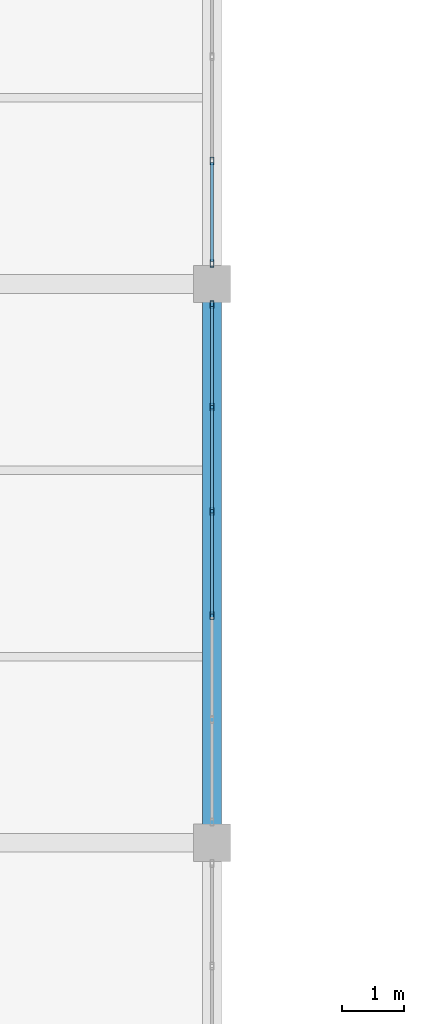
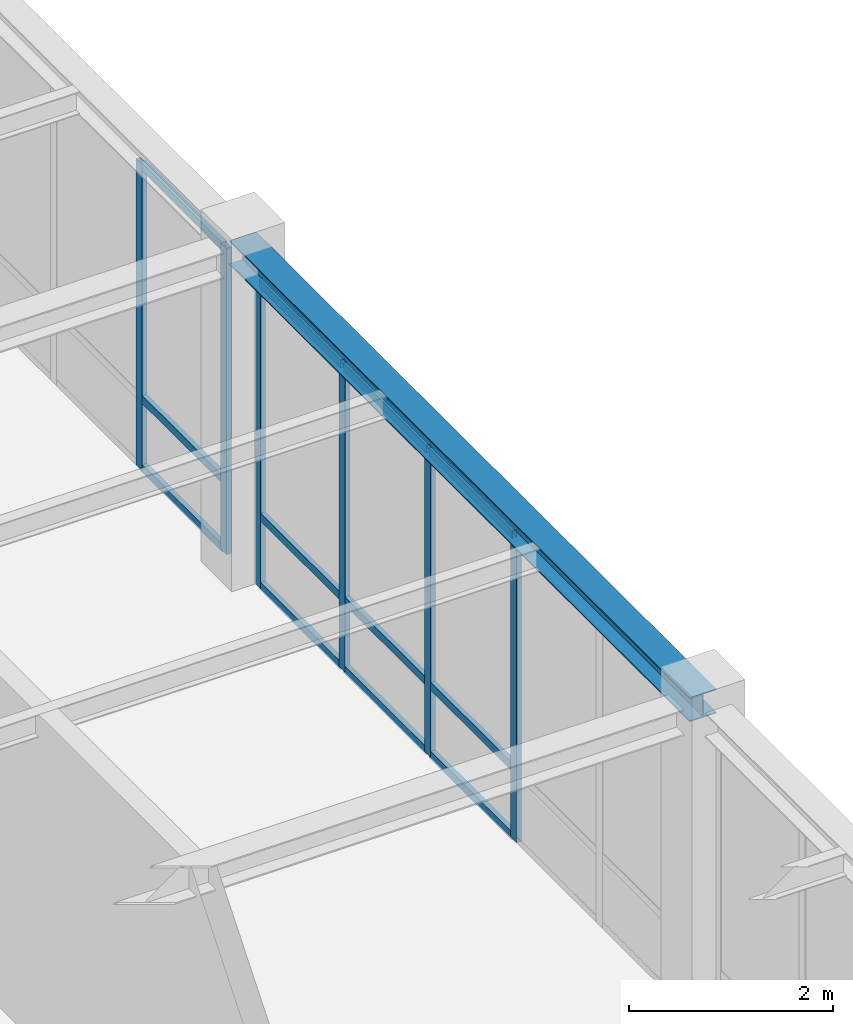
# One storey, part 58 of 130: 18 members, 1 beam, 2 elements without a shape of their own.
"""IFC4 building model written with IfcOpenShell, lengths in metres."""

from ifc_helpers import new_model, si_unit, direction, frame, origin, origin_2d, place, context, subcontext, project, spatial, hollow_rectangle, i_section, extrude, material, material_profile, profile_set, type_object, element, aggregate, save


model = new_model("IFC4")

# Units and contexts
model_context = context("Model", 3, precision=1e-05, world=origin(), true_north=direction((0.0, 1.0)))
body_context = subcontext(model_context, "Body", "Model", "MODEL_VIEW")
ifc_project = project(units=[si_unit("LENGTHUNIT", "METRE"), si_unit("AREAUNIT", "SQUARE_METRE"), si_unit("VOLUMEUNIT", "CUBIC_METRE"), si_unit("PLANEANGLEUNIT", "RADIAN"), si_unit("MASSUNIT", "GRAM", prefix="KILO")], contexts=[model_context])

# Site, building, storey
site_placement = place(None, origin())
site = spatial("IfcSite", under=ifc_project, at=site_placement, CompositionType="ELEMENT")
building_placement = place(site_placement, origin())
building = spatial("IfcBuilding", under=site, at=building_placement, Name="Lykobir Media Centre", CompositionType="ELEMENT")
storey_placement = place(building_placement, frame((0.0, 0.0, 19.199951171875)))
storey = spatial("IfcBuildingStorey", under=building, at=storey_placement, Name="L04", CompositionType="ELEMENT", Elevation=19.199951171875)

# Beam
ifc_material_1 = material(Name="Steel S355", Category="steel")
ifc_material_profile_1 = material_profile(ifc_material_1, i_section(OverallWidth=0.300048828125, OverallDepth=0.2900390625, WebThickness=0.008544921875, FlangeThickness=0.013916015625, at=origin_2d()), Name="HEA 300")
ifc_profile_set_1 = profile_set([ifc_material_profile_1], Name="Steel S355")
beam_type = type_object("IfcBeamType", Name="BM-HEA300", PredefinedType="BEAM", material=ifc_profile_set_1)
beam_placement = place(storey_placement, frame((99.0, 36.0, 3.81494140625), z_axis=(0.0, 1.0, 0.0), x_axis=(-1.0, 0.0, 0.0)))
element("IfcBeam", 1, at=beam_placement, inside=storey, type_object=beam_type, Name="Beam BM-L04-0990-0360-0990-0450-2302", PredefinedType="BEAM", context=body_context, shape_type="SweptSolid", body=[
    extrude(i_section(OverallWidth=0.300048828125, OverallDepth=0.2900390625, WebThickness=0.008544921875, FlangeThickness=0.013916015625, at=origin_2d()), origin(), (0.0, 0.0, 1.0), 9.0),
])

# Curtain wall, members
ifc_material_2 = material(Name="Anodized Aluminium AW-6060", Category="aluminium")
curtain_wall_type = type_object("IfcCurtainWallType", Name="CW-COURT-B", PredefinedType="NOTDEFINED", material=ifc_material_2)
curtain_wall_1_placement = place(storey_placement, origin())
curtain_wall_1 = element("IfcCurtainWall", 2, at=curtain_wall_1_placement, inside=storey, type_object=curtain_wall_type, Name="Curtain wall CW2-L04-0174", PredefinedType="NOTDEFINED")
ifc_material_profile_2 = material_profile(ifc_material_2, hollow_rectangle(XDim=0.054931640625, YDim=0.1201171875, WallThickness=0.003173828125, at=origin_2d()), Name="ALU MULLION 55x120")
ifc_profile_set_2 = profile_set([ifc_material_profile_2], Name="Anodized Aluminium AW-6060")
member_type_1 = type_object("IfcMemberType", Name="CWM-120", PredefinedType="MULLION", material=ifc_profile_set_2)
member_1_placement = place(storey_placement, frame((99.0, 44.66748046875, 0.0), z_axis=(0.0, 0.0, 1.0), x_axis=(1.0, 0.0, 0.0)))
member_1 = element("IfcMember", 3, at=member_1_placement, type_object=member_type_1, Name="CW2-L04-0174 mullion 1", PredefinedType="MULLION", context=body_context, shape_type="SweptSolid", body=[
    extrude(hollow_rectangle(XDim=0.054931640625, YDim=0.1201171875, WallThickness=0.003173828125, at=origin_2d()), origin(), (0.0, 0.0, 1.0), 3.655029296875),
])
member_2_placement = place(storey_placement, frame((99.0, 43.01708984375, 0.0), z_axis=(0.0, 0.0, 1.0), x_axis=(1.0, 0.0, 0.0)))
member_2 = element("IfcMember", 4, at=member_2_placement, type_object=member_type_1, Name="CW2-L04-0174 mullion 2", PredefinedType="MULLION", context=body_context, shape_type="SweptSolid", body=[
    extrude(hollow_rectangle(XDim=0.054931640625, YDim=0.1201171875, WallThickness=0.003173828125, at=origin_2d()), origin(), (0.0, 0.0, 1.0), 3.655029296875),
])
member_3_placement = place(storey_placement, frame((99.0, 41.339111328125, 0.0), z_axis=(0.0, 0.0, 1.0), x_axis=(1.0, 0.0, 0.0)))
member_3 = element("IfcMember", 5, at=member_3_placement, type_object=member_type_1, Name="CW2-L04-0174 mullion 3", PredefinedType="MULLION", context=body_context, shape_type="SweptSolid", body=[
    extrude(hollow_rectangle(XDim=0.054931640625, YDim=0.1201171875, WallThickness=0.003173828125, at=origin_2d()), origin(), (0.0, 0.0, 1.0), 3.655029296875),
])
member_4_placement = place(storey_placement, frame((99.0, 39.660888671875, 0.0), z_axis=(0.0, 0.0, 1.0), x_axis=(1.0, 0.0, 0.0)))
member_4 = element("IfcMember", 6, at=member_4_placement, type_object=member_type_1, Name="CW2-L04-0174 mullion 4", PredefinedType="MULLION", context=body_context, shape_type="SweptSolid", body=[
    extrude(hollow_rectangle(XDim=0.054931640625, YDim=0.1201171875, WallThickness=0.003173828125, at=origin_2d()), origin(), (0.0, 0.0, 1.0), 3.655029296875),
])

curtain_wall_2_placement = place(storey_placement, origin())
curtain_wall_2 = element("IfcCurtainWall", 7, at=curtain_wall_2_placement, inside=storey, type_object=curtain_wall_type, Name="Curtain wall CW2-L04-0175", PredefinedType="NOTDEFINED")
member_5_placement = place(storey_placement, frame((99.0, 46.98291015625, 0.0), z_axis=(0.0, 0.0, 1.0), x_axis=(1.0, 0.0, 0.0)))
member_5 = element("IfcMember", 8, at=member_5_placement, type_object=member_type_1, Name="CW2-L04-0175 mullion 5", PredefinedType="MULLION", context=body_context, shape_type="SweptSolid", body=[
    extrude(hollow_rectangle(XDim=0.054931640625, YDim=0.1201171875, WallThickness=0.003173828125, at=origin_2d()), origin(), (0.0, 0.0, 1.0), 3.655029296875),
])
member_6_placement = place(storey_placement, frame((99.0, 45.33251953125, 0.0), z_axis=(0.0, 0.0, 1.0), x_axis=(1.0, 0.0, 0.0)))
member_6 = element("IfcMember", 9, at=member_6_placement, type_object=member_type_1, Name="CW2-L04-0175 mullion 6", PredefinedType="MULLION", context=body_context, shape_type="SweptSolid", body=[
    extrude(hollow_rectangle(XDim=0.054931640625, YDim=0.1201171875, WallThickness=0.003173828125, at=origin_2d()), origin(), (0.0, 0.0, 1.0), 3.655029296875),
])

# Member
ifc_material_profile_3 = material_profile(ifc_material_2, hollow_rectangle(XDim=0.054931640625, YDim=0.094970703125, WallThickness=0.0029296875, at=origin_2d()), Name="ALU TRANSOM 55x95")
ifc_profile_set_3 = profile_set([ifc_material_profile_3], Name="Anodized Aluminium AW-6060")
member_type_2 = type_object("IfcMemberType", Name="CWT-095", PredefinedType="USERDEFINED", material=ifc_profile_set_3)
member_7_placement = place(storey_placement, frame((99.0, 44.639892578125, 0.027587890625), z_axis=(0.0, -1.0, 0.0), x_axis=(1.0, 0.0, 0.0)))
member_7 = element("IfcMember", 10, at=member_7_placement, type_object=member_type_2, Name="CW2-L04-0174 transom 1.1", ObjectType="TRANSOM", PredefinedType="USERDEFINED", context=body_context, shape_type="SweptSolid", body=[
    extrude(hollow_rectangle(XDim=0.054931640625, YDim=0.094970703125, WallThickness=0.0029296875, at=origin_2d()), origin(), (0.0, 0.0, 1.0), 1.595458984375),
])

member_8_placement = place(storey_placement, frame((99.0, 44.639892578125, 0.85009765625), z_axis=(0.0, -1.0, 0.0), x_axis=(1.0, 0.0, 0.0)))
member_8 = element("IfcMember", 11, at=member_8_placement, type_object=member_type_2, Name="CW2-L04-0174 transom 1.2", ObjectType="TRANSOM", PredefinedType="USERDEFINED", context=body_context, shape_type="SweptSolid", body=[
    extrude(hollow_rectangle(XDim=0.054931640625, YDim=0.094970703125, WallThickness=0.0029296875, at=origin_2d()), origin(), (0.0, 0.0, 1.0), 1.595458984375),
])

member_9_placement = place(storey_placement, frame((99.0, 44.639892578125, 3.62744140625), z_axis=(0.0, -1.0, 0.0), x_axis=(1.0, 0.0, 0.0)))
member_9 = element("IfcMember", 12, at=member_9_placement, type_object=member_type_2, Name="CW2-L04-0174 transom 1.3", ObjectType="TRANSOM", PredefinedType="USERDEFINED", context=body_context, shape_type="SweptSolid", body=[
    extrude(hollow_rectangle(XDim=0.054931640625, YDim=0.094970703125, WallThickness=0.0029296875, at=origin_2d()), origin(), (0.0, 0.0, 1.0), 1.595458984375),
])

member_10_placement = place(storey_placement, frame((99.0, 42.989501953125, 0.027587890625), z_axis=(0.0, -1.0, 0.0), x_axis=(1.0, 0.0, 0.0)))
member_10 = element("IfcMember", 13, at=member_10_placement, type_object=member_type_2, Name="CW2-L04-0174 transom 2.1", ObjectType="TRANSOM", PredefinedType="USERDEFINED", context=body_context, shape_type="SweptSolid", body=[
    extrude(hollow_rectangle(XDim=0.054931640625, YDim=0.094970703125, WallThickness=0.0029296875, at=origin_2d()), origin(), (0.0, 0.0, 1.0), 1.623046875),
])

member_11_placement = place(storey_placement, frame((99.0, 42.989501953125, 0.85009765625), z_axis=(0.0, -1.0, 0.0), x_axis=(1.0, 0.0, 0.0)))
member_11 = element("IfcMember", 14, at=member_11_placement, type_object=member_type_2, Name="CW2-L04-0174 transom 2.2", ObjectType="TRANSOM", PredefinedType="USERDEFINED", context=body_context, shape_type="SweptSolid", body=[
    extrude(hollow_rectangle(XDim=0.054931640625, YDim=0.094970703125, WallThickness=0.0029296875, at=origin_2d()), origin(), (0.0, 0.0, 1.0), 1.623046875),
])

member_12_placement = place(storey_placement, frame((99.0, 42.989501953125, 3.62744140625), z_axis=(0.0, -1.0, 0.0), x_axis=(1.0, 0.0, 0.0)))
member_12 = element("IfcMember", 15, at=member_12_placement, type_object=member_type_2, Name="CW2-L04-0174 transom 2.3", ObjectType="TRANSOM", PredefinedType="USERDEFINED", context=body_context, shape_type="SweptSolid", body=[
    extrude(hollow_rectangle(XDim=0.054931640625, YDim=0.094970703125, WallThickness=0.0029296875, at=origin_2d()), origin(), (0.0, 0.0, 1.0), 1.623046875),
])

member_13_placement = place(storey_placement, frame((99.0, 41.3115234375, 0.027587890625), z_axis=(0.0, -1.0, 0.0), x_axis=(1.0, 0.0, 0.0)))
member_13 = element("IfcMember", 16, at=member_13_placement, type_object=member_type_2, Name="CW2-L04-0174 transom 3.1", ObjectType="TRANSOM", PredefinedType="USERDEFINED", context=body_context, shape_type="SweptSolid", body=[
    extrude(hollow_rectangle(XDim=0.054931640625, YDim=0.094970703125, WallThickness=0.0029296875, at=origin_2d()), origin(), (0.0, 0.0, 1.0), 1.623046875),
])

member_14_placement = place(storey_placement, frame((99.0, 41.3115234375, 0.85009765625), z_axis=(0.0, -1.0, 0.0), x_axis=(1.0, 0.0, 0.0)))
member_14 = element("IfcMember", 17, at=member_14_placement, type_object=member_type_2, Name="CW2-L04-0174 transom 3.2", ObjectType="TRANSOM", PredefinedType="USERDEFINED", context=body_context, shape_type="SweptSolid", body=[
    extrude(hollow_rectangle(XDim=0.054931640625, YDim=0.094970703125, WallThickness=0.0029296875, at=origin_2d()), origin(), (0.0, 0.0, 1.0), 1.623046875),
])

member_15_placement = place(storey_placement, frame((99.0, 41.3115234375, 3.62744140625), z_axis=(0.0, -1.0, 0.0), x_axis=(1.0, 0.0, 0.0)))
member_15 = element("IfcMember", 18, at=member_15_placement, type_object=member_type_2, Name="CW2-L04-0174 transom 3.3", ObjectType="TRANSOM", PredefinedType="USERDEFINED", context=body_context, shape_type="SweptSolid", body=[
    extrude(hollow_rectangle(XDim=0.054931640625, YDim=0.094970703125, WallThickness=0.0029296875, at=origin_2d()), origin(), (0.0, 0.0, 1.0), 1.623046875),
])

aggregate(curtain_wall_1, [member_1, member_2, member_3, member_4, member_7, member_8, member_9, member_10, member_11, member_12, member_13, member_14, member_15])

member_16_placement = place(storey_placement, frame((99.0, 46.95556640625, 0.027587890625), z_axis=(0.0, -1.0, 0.0), x_axis=(1.0, 0.0, 0.0)))
member_16 = element("IfcMember", 19, at=member_16_placement, type_object=member_type_2, Name="CW2-L04-0175 transom 5.1", ObjectType="TRANSOM", PredefinedType="USERDEFINED", context=body_context, shape_type="SweptSolid", body=[
    extrude(hollow_rectangle(XDim=0.054931640625, YDim=0.094970703125, WallThickness=0.0029296875, at=origin_2d()), origin(), (0.0, 0.0, 1.0), 1.595458984375),
])

member_17_placement = place(storey_placement, frame((99.0, 46.95556640625, 0.85009765625), z_axis=(0.0, -1.0, 0.0), x_axis=(1.0, 0.0, 0.0)))
member_17 = element("IfcMember", 20, at=member_17_placement, type_object=member_type_2, Name="CW2-L04-0175 transom 5.2", ObjectType="TRANSOM", PredefinedType="USERDEFINED", context=body_context, shape_type="SweptSolid", body=[
    extrude(hollow_rectangle(XDim=0.054931640625, YDim=0.094970703125, WallThickness=0.0029296875, at=origin_2d()), origin(), (0.0, 0.0, 1.0), 1.595458984375),
])

member_18_placement = place(storey_placement, frame((99.0, 46.95556640625, 3.62744140625), z_axis=(0.0, -1.0, 0.0), x_axis=(1.0, 0.0, 0.0)))
member_18 = element("IfcMember", 21, at=member_18_placement, type_object=member_type_2, Name="CW2-L04-0175 transom 5.3", ObjectType="TRANSOM", PredefinedType="USERDEFINED", context=body_context, shape_type="SweptSolid", body=[
    extrude(hollow_rectangle(XDim=0.054931640625, YDim=0.094970703125, WallThickness=0.0029296875, at=origin_2d()), origin(), (0.0, 0.0, 1.0), 1.595458984375),
])

aggregate(curtain_wall_2, [member_5, member_6, member_16, member_17, member_18])

save(model, "model.ifc")
